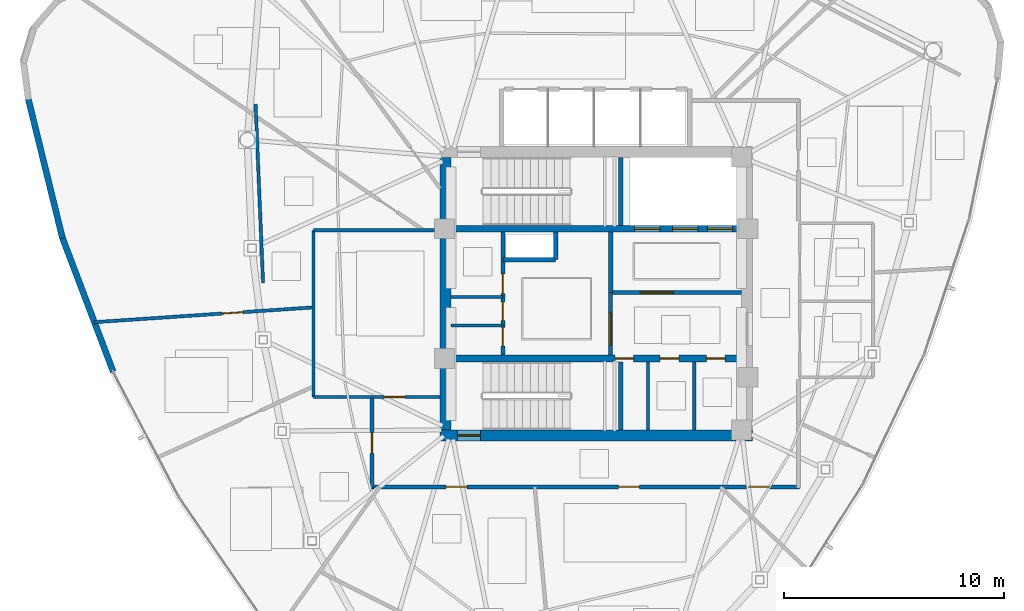
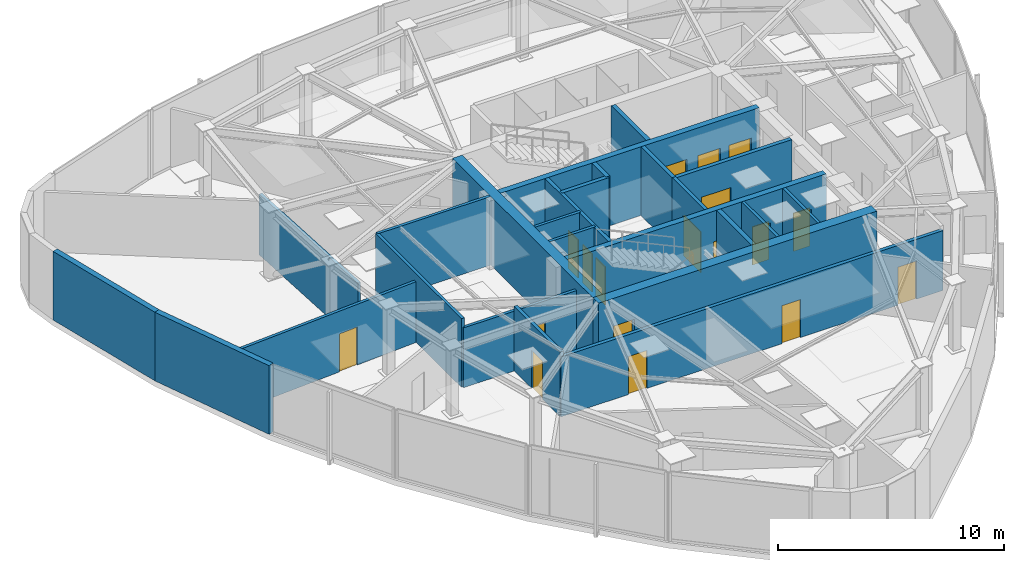
# One storey, part 8 of 13: 25 walls, 18 doors, 18 openings.
"""IFC4 building model written with IfcOpenShell, lengths in metres."""

from ifc_helpers import new_model, si_unit, direction, frame, frame_2d, origin, place, context, subcontext, project, spatial, rectangle, extrude, material, layer, layer_set, type_object, element, fill, save


model = new_model("IFC4")

# Units and contexts
model_context = context("Model", 3, precision=1e-05, world=origin(), true_north=direction((0.0, 1.0)))
body_context = subcontext(model_context, "Body", "Model", "MODEL_VIEW")
ifc_project = project(units=[si_unit("LENGTHUNIT", "METRE"), si_unit("AREAUNIT", "SQUARE_METRE"), si_unit("VOLUMEUNIT", "CUBIC_METRE"), si_unit("PLANEANGLEUNIT", "RADIAN"), si_unit("MASSUNIT", "GRAM", prefix="KILO")], contexts=[model_context])

# Site, building, storey
site_placement = place(None, origin())
site = spatial("IfcSite", under=ifc_project, at=site_placement, CompositionType="ELEMENT")
building_placement = place(site_placement, origin())
building = spatial("IfcBuilding", under=site, at=building_placement, Name="Tavelor Broadcast Tower", CompositionType="ELEMENT")
storey_placement = place(building_placement, frame((0.0, 0.0, 301.5)))
storey = spatial("IfcBuildingStorey", under=building, at=storey_placement, Name="L72", CompositionType="ELEMENT", Elevation=301.5)

# Wall, opening, door
ifc_material_1 = material(Name="Concrete C50/60", Category="concrete")
ifc_layer_1 = layer(ifc_material_1, 0.5)
ifc_layer_set_1 = layer_set([ifc_layer_1], Name="Concrete C50/60")
wall_type_1 = type_object("IfcWallType", Name="Core Shear Wall 500 mm", PredefinedType="SHEAR", material=ifc_layer_set_1)
wall_1_placement = place(storey_placement, frame((42.89990234375, 38.550048828125, 0.0), z_axis=(0.0, 0.0, 1.0), x_axis=(1.0, 0.0, 0.0)))
wall_1 = element("IfcWall", 1, at=wall_1_placement, inside=storey, type_object=wall_type_1, Name="L72 Central Core Shear Wall S", PredefinedType="SHEAR", context=body_context, shape_type="SweptSolid", body=[
    extrude(rectangle(XDim=14.2001953125, YDim=0.5, at=frame_2d((7.10009765625, 0.0))), origin(), (0.0, 0.0, 1.0), 3.699951171875),
])
opening_1_placement = place(wall_1_placement, frame((0.780029296875, 0.0, 0.0)))
opening_1 = element("IfcOpeningElement", 2, at=opening_1_placement, cuts=wall_1, Name="Opening DR11", PredefinedType="OPENING", context=body_context, shape_type="SweptSolid", body=[
    extrude(rectangle(XDim=1.050048828125, YDim=2.199951171875, at=frame_2d((0.52490234375, 1.10009765625))), frame((0.0, 0.260009765625, 0.0), z_axis=(0.0, -1.0, 0.0), x_axis=(1.0, 0.0, 0.0)), (0.0, 0.0, 1.0), 0.52001953125),
])
ifc_material_2 = material(Name="Steel S355", Category="steel")
door_type_1 = type_object("IfcDoorType", Name="Stair Core Fire Escape Door 1050x2200", OperationType="NOTDEFINED", PredefinedType="DOOR", material=ifc_material_2)
door_1_placement = place(opening_1_placement, origin())
door_1 = element("IfcDoor", 3, at=door_1_placement, inside=storey, type_object=door_type_1, Name="L72 Stair ST2 Protected Exit Door", OperationType="SINGLE_SWING_RIGHT", OverallHeight=2.199951171875, OverallWidth=1.050048828125, PredefinedType="DOOR", context=body_context, shape_type="SweptSolid", body=[
    extrude(rectangle(XDim=1.050048828125, YDim=2.199951171875, at=frame_2d((0.52490234375, 1.10009765625))), frame((0.0, 0.02490234375, 0.0), z_axis=(0.0, -1.0, 0.0), x_axis=(1.0, 0.0, 0.0)), (0.0, 0.0, 1.0), 0.050048828125),
])
fill(opening_1, door_1)

# Wall
wall_2_placement = place(storey_placement, frame((43.14990234375, 38.800048828125, 0.0), z_axis=(0.0, 0.0, 1.0), x_axis=(0.0, 1.0, 0.0)))
element("IfcWall", 4, at=wall_2_placement, inside=storey, type_object=wall_type_1, Name="L72 Central Core Shear Wall W", PredefinedType="SHEAR", context=body_context, shape_type="SweptSolid", body=[
    extrude(rectangle(XDim=12.39990234375, YDim=0.5, at=frame_2d((6.199951171875, 0.0))), origin(), (0.0, 0.0, 1.0), 3.699951171875),
])

# Wall, openings, doors
ifc_layer_2 = layer(ifc_material_1, 0.300048828125)
ifc_layer_set_2 = layer_set([ifc_layer_2], Name="Concrete C50/60")
wall_type_2 = type_object("IfcWallType", Name="Core Spine Shear Wall 300 mm C50", PredefinedType="SHEAR", material=ifc_layer_set_2)
wall_3_placement = place(storey_placement, frame((43.39990234375, 47.949951171875, 0.0), z_axis=(0.0, 0.0, 1.0), x_axis=(1.0, 0.0, 0.0)))
wall_3 = element("IfcWall", 5, at=wall_3_placement, inside=storey, type_object=wall_type_2, Name="L72 Central Core Shear Wall SP1", PredefinedType="SHEAR", context=body_context, shape_type="SweptSolid", body=[
    extrude(rectangle(XDim=13.2001953125, YDim=0.300048828125, at=frame_2d((6.60009765625, 0.0))), origin(), (0.0, 0.0, 1.0), 3.699951171875),
])
opening_2_placement = place(wall_3_placement, frame((8.344970703125, 0.0, 0.0)))
opening_2 = element("IfcOpeningElement", 6, at=opening_2_placement, cuts=wall_3, Name="Opening LD02", PredefinedType="OPENING", context=body_context, shape_type="SweptSolid", body=[
    extrude(rectangle(XDim=1.14990234375, YDim=2.199951171875, at=frame_2d((0.574951171875, 1.10009765625))), frame((0.0, 0.16015625, 0.0), z_axis=(0.0, -1.0, 0.0), x_axis=(1.0, 0.0, 0.0)), (0.0, 0.0, 1.0), 0.320068359375),
])
opening_3_placement = place(wall_3_placement, frame((10.06494140625, 0.0, 0.0)))
opening_3 = element("IfcOpeningElement", 7, at=opening_3_placement, cuts=wall_3, Name="Opening LD02", PredefinedType="OPENING", context=body_context, shape_type="SweptSolid", body=[
    extrude(rectangle(XDim=1.14990234375, YDim=2.199951171875, at=frame_2d((0.574951171875, 1.10009765625))), frame((0.0, 0.16015625, 0.0), z_axis=(0.0, -1.0, 0.0), x_axis=(1.0, 0.0, 0.0)), (0.0, 0.0, 1.0), 0.320068359375),
])
opening_4_placement = place(wall_3_placement, frame((11.64501953125, 0.0, 0.0)))
opening_4 = element("IfcOpeningElement", 8, at=opening_4_placement, cuts=wall_3, Name="Opening LD03", PredefinedType="OPENING", context=body_context, shape_type="SweptSolid", body=[
    extrude(rectangle(XDim=1.14990234375, YDim=2.199951171875, at=frame_2d((0.574951171875, 1.10009765625))), frame((0.0, 0.16015625, 0.0), z_axis=(0.0, -1.0, 0.0), x_axis=(1.0, 0.0, 0.0)), (0.0, 0.0, 1.0), 0.320068359375),
])
ifc_material_3 = material(Name="Reinforced Brushed Stainless Steel", Category="concrete")
door_type_2 = type_object("IfcDoorType", Name="Broadcast Goods Lift Sliding Landing Door 1250x2200", OperationType="NOTDEFINED", PredefinedType="DOOR", material=ifc_material_3)
door_2_placement = place(opening_4_placement, origin())
door_2 = element("IfcDoor", 9, at=door_2_placement, inside=storey, type_object=door_type_2, Name="L72 Lift SVL1 Sliding Landing Door", OperationType="SLIDING_TO_LEFT", OverallHeight=2.199951171875, OverallWidth=1.14990234375, PredefinedType="DOOR", context=body_context, shape_type="SweptSolid", body=[
    extrude(rectangle(XDim=1.14990234375, YDim=2.199951171875, at=frame_2d((0.574951171875, 1.10009765625))), frame((0.0, 0.02490234375, 0.0), z_axis=(0.0, -1.0, 0.0), x_axis=(1.0, 0.0, 0.0)), (0.0, 0.0, 1.0), 0.050048828125),
])
fill(opening_4, door_2)
ifc_material_4 = material(Name="Fire-Rated Stainless Steel", Category="steel")
door_type_3 = type_object("IfcDoorType", Name="Firefighting Lift Sliding Landing Door 1200x2200", OperationType="NOTDEFINED", PredefinedType="DOOR", material=ifc_material_4)
door_3_placement = place(opening_2_placement, origin())
door_3 = element("IfcDoor", 10, at=door_3_placement, inside=storey, type_object=door_type_3, Name="L72 Lift FFL1 Sliding Landing Door", OperationType="SLIDING_TO_LEFT", OverallHeight=2.199951171875, OverallWidth=1.14990234375, PredefinedType="DOOR", context=body_context, shape_type="SweptSolid", body=[
    extrude(rectangle(XDim=1.14990234375, YDim=2.199951171875, at=frame_2d((0.574951171875, 1.10009765625))), frame((0.0, 0.02490234375, 0.0), z_axis=(0.0, -1.0, 0.0), x_axis=(1.0, 0.0, 0.0)), (0.0, 0.0, 1.0), 0.050048828125),
])
fill(opening_2, door_3)
door_4_placement = place(opening_3_placement, origin())
door_4 = element("IfcDoor", 11, at=door_4_placement, inside=storey, type_object=door_type_3, Name="L72 Lift FFL2 Sliding Landing Door", OperationType="SLIDING_TO_LEFT", OverallHeight=2.199951171875, OverallWidth=1.14990234375, PredefinedType="DOOR", context=body_context, shape_type="SweptSolid", body=[
    extrude(rectangle(XDim=1.14990234375, YDim=2.199951171875, at=frame_2d((0.574951171875, 1.10009765625))), frame((0.0, 0.02490234375, 0.0), z_axis=(0.0, -1.0, 0.0), x_axis=(1.0, 0.0, 0.0)), (0.0, 0.0, 1.0), 0.050048828125),
])
fill(opening_3, door_4)

wall_4_placement = place(storey_placement, frame((43.39990234375, 42.050048828125, 0.0), z_axis=(0.0, 0.0, 1.0), x_axis=(1.0, 0.0, 0.0)))
wall_4 = element("IfcWall", 12, at=wall_4_placement, inside=storey, type_object=wall_type_2, Name="L72 Central Core Shear Wall SP2", PredefinedType="SHEAR", context=body_context, shape_type="SweptSolid", body=[
    extrude(rectangle(XDim=13.2001953125, YDim=0.300048828125, at=frame_2d((6.60009765625, 0.0))), origin(), (0.0, 0.0, 1.0), 3.699951171875),
])
opening_5_placement = place(wall_4_placement, frame((7.449951171875, 0.0, 0.0)))
opening_5 = element("IfcOpeningElement", 13, at=opening_5_placement, cuts=wall_4, Name="Opening DR36", PredefinedType="OPENING", context=body_context, shape_type="SweptSolid", body=[
    extrude(rectangle(XDim=0.85009765625, YDim=2.050048828125, at=frame_2d((0.425048828125, 1.02490234375))), frame((0.0, 0.16015625, 0.0), z_axis=(0.0, -1.0, 0.0), x_axis=(1.0, 0.0, 0.0)), (0.0, 0.0, 1.0), 0.320068359375),
])
opening_6_placement = place(wall_4_placement, frame((9.5, 0.0, 0.0)))
opening_6 = element("IfcOpeningElement", 14, at=opening_6_placement, cuts=wall_4, Name="Opening DR36", PredefinedType="OPENING", context=body_context, shape_type="SweptSolid", body=[
    extrude(rectangle(XDim=0.85009765625, YDim=2.050048828125, at=frame_2d((0.425048828125, 1.02490234375))), frame((0.0, 0.16015625, 0.0), z_axis=(0.0, -1.0, 0.0), x_axis=(1.0, 0.0, 0.0)), (0.0, 0.0, 1.0), 0.320068359375),
])
opening_7_placement = place(wall_4_placement, frame((11.60009765625, 0.0, 0.0)))
opening_7 = element("IfcOpeningElement", 15, at=opening_7_placement, cuts=wall_4, Name="Opening DR36", PredefinedType="OPENING", context=body_context, shape_type="SweptSolid", body=[
    extrude(rectangle(XDim=0.85009765625, YDim=2.050048828125, at=frame_2d((0.425048828125, 1.02490234375))), frame((0.0, 0.16015625, 0.0), z_axis=(0.0, -1.0, 0.0), x_axis=(1.0, 0.0, 0.0)), (0.0, 0.0, 1.0), 0.320068359375),
])
door_type_4 = type_object("IfcDoorType", Name="Service Room Fire Door 850x2050", OperationType="NOTDEFINED", PredefinedType="DOOR", material=ifc_material_2)
door_5_placement = place(opening_5_placement, origin())
door_5 = element("IfcDoor", 16, at=door_5_placement, inside=storey, type_object=door_type_4, Name="L72 Reclaimed South Core Pod 1 Door", OperationType="SINGLE_SWING_LEFT", OverallHeight=2.050048828125, OverallWidth=0.85009765625, PredefinedType="DOOR", context=body_context, shape_type="SweptSolid", body=[
    extrude(rectangle(XDim=0.85009765625, YDim=2.050048828125, at=frame_2d((0.425048828125, 1.02490234375))), frame((0.0, 0.02490234375, 0.0), z_axis=(0.0, -1.0, 0.0), x_axis=(1.0, 0.0, 0.0)), (0.0, 0.0, 1.0), 0.050048828125),
])
fill(opening_5, door_5)
door_6_placement = place(opening_6_placement, origin())
door_6 = element("IfcDoor", 17, at=door_6_placement, inside=storey, type_object=door_type_4, Name="L72 Reclaimed South Core Pod 2 Door", OperationType="SINGLE_SWING_RIGHT", OverallHeight=2.050048828125, OverallWidth=0.85009765625, PredefinedType="DOOR", context=body_context, shape_type="SweptSolid", body=[
    extrude(rectangle(XDim=0.85009765625, YDim=2.050048828125, at=frame_2d((0.425048828125, 1.02490234375))), frame((0.0, 0.02490234375, 0.0), z_axis=(0.0, -1.0, 0.0), x_axis=(1.0, 0.0, 0.0)), (0.0, 0.0, 1.0), 0.050048828125),
])
fill(opening_6, door_6)
door_7_placement = place(opening_7_placement, origin())
door_7 = element("IfcDoor", 18, at=door_7_placement, inside=storey, type_object=door_type_4, Name="L72 Reclaimed South Core Pod 3 Door", OperationType="SINGLE_SWING_LEFT", OverallHeight=2.050048828125, OverallWidth=0.85009765625, PredefinedType="DOOR", context=body_context, shape_type="SweptSolid", body=[
    extrude(rectangle(XDim=0.85009765625, YDim=2.050048828125, at=frame_2d((0.425048828125, 1.02490234375))), frame((0.0, 0.02490234375, 0.0), z_axis=(0.0, -1.0, 0.0), x_axis=(1.0, 0.0, 0.0)), (0.0, 0.0, 1.0), 0.050048828125),
])
fill(opening_7, door_7)

# Wall, opening, door
ifc_material_5 = material(Name="Calcium Silicate Fire Board 180 mm", Category="gypsum")
ifc_layer_3 = layer(ifc_material_5, 0.179931640625)
ifc_layer_set_3 = layer_set([ifc_layer_3], Name="Calcium Silicate Fire Board 180 mm")
wall_type_3 = type_object("IfcWallType", Name="Fire-Rated Corridor Partition Wall 180 mm", PredefinedType="PARTITIONING", material=ifc_layer_set_3)
wall_5_placement = place(storey_placement, frame((50.64990234375, 42.199951171875, 0.0), z_axis=(0.0, 0.0, 1.0), x_axis=(0.0, 1.0, 0.0)))
wall_5 = element("IfcWall", 19, at=wall_5_placement, inside=storey, type_object=wall_type_3, Name="L72 Core Lobby Zoning Wall", PredefinedType="PARTITIONING", context=body_context, shape_type="SweptSolid", body=[
    extrude(rectangle(XDim=2.85009765625, YDim=0.179931640625, at=frame_2d((1.425048828125, 0.0))), origin(), (0.0, 0.0, 1.0), 3.699951171875),
])
opening_8_placement = place(wall_5_placement, frame((0.449951171875, 0.0, 0.0)))
opening_8 = element("IfcOpeningElement", 20, at=opening_8_placement, cuts=wall_5, Name="Opening DR14", PredefinedType="OPENING", context=body_context, shape_type="SweptSolid", body=[
    extrude(rectangle(XDim=1.5, YDim=2.199951171875, at=frame_2d((0.75, 1.10009765625))), frame((0.0, 0.10009765625, 0.0), z_axis=(0.0, -1.0, 0.0), x_axis=(1.0, 0.0, 0.0)), (0.0, 0.0, 1.0), 0.199951171875),
])
door_type_5 = type_object("IfcDoorType", Name="Firefighting Lobby Double Fire Door 1500x2200", OperationType="NOTDEFINED", PredefinedType="DOOR", material=ifc_material_2)
door_8_placement = place(opening_8_placement, origin())
door_8 = element("IfcDoor", 21, at=door_8_placement, inside=storey, type_object=door_type_5, Name="L72 Core West Lobby Double Fire Door", OperationType="SINGLE_SWING_RIGHT", OverallHeight=2.199951171875, OverallWidth=1.5, PredefinedType="DOOR", context=body_context, shape_type="SweptSolid", body=[
    extrude(rectangle(XDim=1.5, YDim=2.199951171875, at=frame_2d((0.75, 1.10009765625))), frame((0.0, 0.02490234375, 0.0), z_axis=(0.0, -1.0, 0.0), x_axis=(1.0, 0.0, 0.0)), (0.0, 0.0, 1.0), 0.050048828125),
])
fill(opening_8, door_8)

# Wall, openings, doors
wall_6_placement = place(storey_placement, frame((45.75, 42.199951171875, 0.0), z_axis=(0.0, 0.0, 1.0), x_axis=(0.0, 1.0, 0.0)))
wall_6 = element("IfcWall", 22, at=wall_6_placement, inside=storey, type_object=wall_type_3, Name="L72 Core West Service East Wall", PredefinedType="PARTITIONING", context=body_context, shape_type="SweptSolid", body=[
    extrude(rectangle(XDim=5.60009765625, YDim=0.179931640625, at=frame_2d((2.800048828125, 0.0))), origin(), (0.0, 0.0, 1.0), 3.699951171875),
])
opening_9_placement = place(wall_6_placement, frame((0.419921875, 0.0, 0.0)))
opening_9 = element("IfcOpeningElement", 23, at=opening_9_placement, cuts=wall_6, Name="Opening DR36", PredefinedType="OPENING", context=body_context, shape_type="SweptSolid", body=[
    extrude(rectangle(XDim=0.85009765625, YDim=2.050048828125, at=frame_2d((0.425048828125, 1.02490234375))), frame((0.0, 0.10009765625, 0.0), z_axis=(0.0, -1.0, 0.0), x_axis=(1.0, 0.0, 0.0)), (0.0, 0.0, 1.0), 0.199951171875),
])
opening_10_placement = place(wall_6_placement, frame((1.570068359375, 0.0, 0.0)))
opening_10 = element("IfcOpeningElement", 24, at=opening_10_placement, cuts=wall_6, Name="Opening DR36", PredefinedType="OPENING", context=body_context, shape_type="SweptSolid", body=[
    extrude(rectangle(XDim=0.85009765625, YDim=2.050048828125, at=frame_2d((0.425048828125, 1.02490234375))), frame((0.0, 0.10009765625, 0.0), z_axis=(0.0, -1.0, 0.0), x_axis=(1.0, 0.0, 0.0)), (0.0, 0.0, 1.0), 0.199951171875),
])
opening_11_placement = place(wall_6_placement, frame((2.800048828125, 0.0, 0.0)))
opening_11 = element("IfcOpeningElement", 25, at=opening_11_placement, cuts=wall_6, Name="Opening DR32", PredefinedType="OPENING", context=body_context, shape_type="SweptSolid", body=[
    extrude(rectangle(XDim=0.89990234375, YDim=2.050048828125, at=frame_2d((0.449951171875, 1.02490234375))), frame((0.0, 0.10009765625, 0.0), z_axis=(0.0, -1.0, 0.0), x_axis=(1.0, 0.0, 0.0)), (0.0, 0.0, 1.0), 0.199951171875),
])
ifc_material_6 = material(Name="Timber Solid Core Hardwood", Category="wood")
door_type_6 = type_object("IfcDoorType", Name="Accessible Washroom Door 900x2050", OperationType="NOTDEFINED", PredefinedType="DOOR", material=ifc_material_6)
door_9_placement = place(opening_11_placement, origin())
door_9 = element("IfcDoor", 26, at=door_9_placement, inside=storey, type_object=door_type_6, Name="L72 Core Accessible WC Door", OperationType="SINGLE_SWING_LEFT", OverallHeight=2.050048828125, OverallWidth=0.89990234375, PredefinedType="DOOR", context=body_context, shape_type="SweptSolid", body=[
    extrude(rectangle(XDim=0.89990234375, YDim=2.050048828125, at=frame_2d((0.449951171875, 1.02490234375))), frame((0.0, 0.02490234375, 0.0), z_axis=(0.0, -1.0, 0.0), x_axis=(1.0, 0.0, 0.0)), (0.0, 0.0, 1.0), 0.050048828125),
])
fill(opening_11, door_9)
door_10_placement = place(opening_9_placement, origin())
door_10 = element("IfcDoor", 27, at=door_10_placement, inside=storey, type_object=door_type_4, Name="L72 Core Medical Room Door", OperationType="SINGLE_SWING_LEFT", OverallHeight=2.050048828125, OverallWidth=0.85009765625, PredefinedType="DOOR", context=body_context, shape_type="SweptSolid", body=[
    extrude(rectangle(XDim=0.85009765625, YDim=2.050048828125, at=frame_2d((0.425048828125, 1.02490234375))), frame((0.0, 0.02490234375, 0.0), z_axis=(0.0, -1.0, 0.0), x_axis=(1.0, 0.0, 0.0)), (0.0, 0.0, 1.0), 0.050048828125),
])
fill(opening_9, door_10)
door_11_placement = place(opening_10_placement, origin())
door_11 = element("IfcDoor", 28, at=door_11_placement, inside=storey, type_object=door_type_4, Name="L72 Core Copy Room Door", OperationType="SINGLE_SWING_RIGHT", OverallHeight=2.050048828125, OverallWidth=0.85009765625, PredefinedType="DOOR", context=body_context, shape_type="SweptSolid", body=[
    extrude(rectangle(XDim=0.85009765625, YDim=2.050048828125, at=frame_2d((0.425048828125, 1.02490234375))), frame((0.0, 0.02490234375, 0.0), z_axis=(0.0, -1.0, 0.0), x_axis=(1.0, 0.0, 0.0)), (0.0, 0.0, 1.0), 0.050048828125),
])
fill(opening_10, door_11)

wall_7_placement = place(storey_placement, frame((59.22998046875, 36.219970703125, 0.0), z_axis=(0.0, 0.0, 1.0), x_axis=(-1.0, 0.0, 0.0)))
wall_7 = element("IfcWall", 29, at=wall_7_placement, inside=storey, type_object=wall_type_3, Name="L72 Corridor Compartment Wall 04", PredefinedType="PARTITIONING", context=body_context, shape_type="SweptSolid", body=[
    extrude(rectangle(XDim=19.47998046875, YDim=0.179931640625, at=frame_2d((9.739990234375, 0.0))), origin(), (0.0, 0.0, 1.0), 3.22509765625),
])
opening_12_placement = place(wall_7_placement, frame((1.3623046875, 0.0, 0.0)))
opening_12 = element("IfcOpeningElement", 30, at=opening_12_placement, cuts=wall_7, Name="Opening DR18", PredefinedType="OPENING", context=body_context, shape_type="SweptSolid", body=[
    extrude(rectangle(XDim=0.949951171875, YDim=2.050048828125, at=frame_2d((0.47509765625, 1.02490234375))), frame((0.0, 0.10009765625, 0.0), z_axis=(0.0, -1.0, 0.0), x_axis=(1.0, 0.0, 0.0)), (0.0, 0.0, 1.0), 0.199951171875),
])
opening_13_placement = place(wall_7_placement, frame((7.275634765625, 0.0, 0.0)))
opening_13 = element("IfcOpeningElement", 31, at=opening_13_placement, cuts=wall_7, Name="Opening DR18", PredefinedType="OPENING", context=body_context, shape_type="SweptSolid", body=[
    extrude(rectangle(XDim=0.949951171875, YDim=2.050048828125, at=frame_2d((0.47509765625, 1.02490234375))), frame((0.0, 0.10009765625, 0.0), z_axis=(0.0, -1.0, 0.0), x_axis=(1.0, 0.0, 0.0)), (0.0, 0.0, 1.0), 0.199951171875),
])
opening_14_placement = place(wall_7_placement, frame((15.106689453125, 0.0, 0.0)))
opening_14 = element("IfcOpeningElement", 32, at=opening_14_placement, cuts=wall_7, Name="Opening DR18", PredefinedType="OPENING", context=body_context, shape_type="SweptSolid", body=[
    extrude(rectangle(XDim=0.949951171875, YDim=2.050048828125, at=frame_2d((0.47509765625, 1.02490234375))), frame((0.0, 0.10009765625, 0.0), z_axis=(0.0, -1.0, 0.0), x_axis=(1.0, 0.0, 0.0)), (0.0, 0.0, 1.0), 0.199951171875),
])
door_type_7 = type_object("IfcDoorType", Name="Corridor Rated Compartment Door 950x2050", OperationType="NOTDEFINED", PredefinedType="DOOR", material=ifc_material_6)
door_12_placement = place(opening_12_placement, origin())
door_12 = element("IfcDoor", 33, at=door_12_placement, inside=storey, type_object=door_type_7, Name="L72 Audio Dubbing Studio Door R0", OperationType="SINGLE_SWING_LEFT", OverallHeight=2.050048828125, OverallWidth=0.949951171875, PredefinedType="DOOR", context=body_context, shape_type="SweptSolid", body=[
    extrude(rectangle(XDim=0.949951171875, YDim=2.050048828125, at=frame_2d((0.47509765625, 1.02490234375))), frame((0.0, 0.02490234375, 0.0), z_axis=(0.0, -1.0, 0.0), x_axis=(1.0, 0.0, 0.0)), (0.0, 0.0, 1.0), 0.050048828125),
])
fill(opening_12, door_12)
door_13_placement = place(opening_13_placement, origin())
door_13 = element("IfcDoor", 34, at=door_13_placement, inside=storey, type_object=door_type_7, Name="L72 Podcast Recording Studio Door R1", OperationType="SINGLE_SWING_RIGHT", OverallHeight=2.050048828125, OverallWidth=0.949951171875, PredefinedType="DOOR", context=body_context, shape_type="SweptSolid", body=[
    extrude(rectangle(XDim=0.949951171875, YDim=2.050048828125, at=frame_2d((0.47509765625, 1.02490234375))), frame((0.0, 0.02490234375, 0.0), z_axis=(0.0, -1.0, 0.0), x_axis=(1.0, 0.0, 0.0)), (0.0, 0.0, 1.0), 0.050048828125),
])
fill(opening_13, door_13)
door_14_placement = place(opening_14_placement, origin())
door_14 = element("IfcDoor", 35, at=door_14_placement, inside=storey, type_object=door_type_7, Name="L72 Talent Script Den Door R11", OperationType="SINGLE_SWING_LEFT", OverallHeight=2.050048828125, OverallWidth=0.949951171875, PredefinedType="DOOR", context=body_context, shape_type="SweptSolid", body=[
    extrude(rectangle(XDim=0.949951171875, YDim=2.050048828125, at=frame_2d((0.47509765625, 1.02490234375))), frame((0.0, 0.02490234375, 0.0), z_axis=(0.0, -1.0, 0.0), x_axis=(1.0, 0.0, 0.0)), (0.0, 0.0, 1.0), 0.050048828125),
])
fill(opening_14, door_14)

# Wall, opening, door
wall_8_placement = place(storey_placement, frame((39.800048828125, 36.169921875, 0.0), z_axis=(0.0, 0.0, 1.0), x_axis=(0.0, 1.0, 0.0)))
wall_8 = element("IfcWall", 36, at=wall_8_placement, inside=storey, type_object=wall_type_3, Name="L72 Corridor Compartment Wall 05", PredefinedType="PARTITIONING", context=body_context, shape_type="SweptSolid", body=[
    extrude(rectangle(XDim=4.080078125, YDim=0.179931640625, at=frame_2d((2.0400390625, 0.0))), origin(), (0.0, 0.0, 1.0), 3.47509765625),
])
opening_15_placement = place(wall_8_placement, frame((1.56494140625, 0.0, 0.0)))
opening_15 = element("IfcOpeningElement", 37, at=opening_15_placement, cuts=wall_8, Name="Opening DR18", PredefinedType="OPENING", context=body_context, shape_type="SweptSolid", body=[
    extrude(rectangle(XDim=0.949951171875, YDim=2.050048828125, at=frame_2d((0.47509765625, 1.02490234375))), frame((0.0, 0.10009765625, 0.0), z_axis=(0.0, -1.0, 0.0), x_axis=(1.0, 0.0, 0.0)), (0.0, 0.0, 1.0), 0.199951171875),
])
door_15_placement = place(opening_15_placement, origin())
door_15 = element("IfcDoor", 38, at=door_15_placement, inside=storey, type_object=door_type_7, Name="L72 Sound Foley Studio Door R3", OperationType="SINGLE_SWING_RIGHT", OverallHeight=2.050048828125, OverallWidth=0.949951171875, PredefinedType="DOOR", context=body_context, shape_type="SweptSolid", body=[
    extrude(rectangle(XDim=0.949951171875, YDim=2.050048828125, at=frame_2d((0.47509765625, 1.02490234375))), frame((0.0, 0.02490234375, 0.0), z_axis=(0.0, -1.0, 0.0), x_axis=(1.0, 0.0, 0.0)), (0.0, 0.0, 1.0), 0.050048828125),
])
fill(opening_15, door_15)

# Walls
ifc_material_7 = material(Name="Precast Concrete C40/50", Category="concrete")
ifc_layer_4 = layer(ifc_material_7, 0.280029296875)
ifc_layer_set_4 = layer_set([ifc_layer_4], Name="Precast Concrete C40/50")
wall_type_4 = type_object("IfcWallType", Name="Insulated Precast Terracotta Facade Wall 280 mm", PredefinedType="STANDARD", material=ifc_layer_set_4)
wall_9_placement = place(storey_placement, frame((24.169189453125, 53.855712890625, 0.0), z_axis=(0.0, 0.0, 1.0), x_axis=(0.238934961537, -0.971035573064, 0.0)))
element("IfcWall", 39, at=wall_9_placement, inside=storey, type_object=wall_type_4, Name="L72 Rounded Corner Structural Cladding Pier 05", PredefinedType="STANDARD", context=body_context, shape_type="SweptSolid", body=[
    extrude(rectangle(XDim=6.528076171875, YDim=0.280029296875, at=frame_2d((3.26416015625, 0.0))), origin(), (0.0, 0.0, 1.0), 3.699951171875),
])
wall_10_placement = place(storey_placement, frame((25.719970703125, 47.54541015625, 0.0), z_axis=(0.0, 0.0, 1.0), x_axis=(0.35469715297, -0.934981245628, 0.0)))
element("IfcWall", 40, at=wall_10_placement, inside=storey, type_object=wall_type_4, Name="L72 Rounded Corner Structural Cladding Pier 06", PredefinedType="STANDARD", context=body_context, shape_type="SweptSolid", body=[
    extrude(rectangle(XDim=6.51611328125, YDim=0.280029296875, at=frame_2d((3.258056640625, 0.0))), origin(), (0.0, 0.0, 1.0), 3.699951171875),
])
ifc_material_8 = material(Name="Gypsum Acoustic Plasterboard 150 mm", Category="gypsum")
ifc_layer_5 = layer(ifc_material_8, 0.14990234375)
ifc_layer_set_5 = layer_set([ifc_layer_5], Name="Gypsum Acoustic Plasterboard 150 mm")
wall_type_5 = type_object("IfcWallType", Name="Interior Acoustic Partition Wall 150 mm", PredefinedType="PARTITIONING", material=ifc_layer_set_5)
for number, where, z_axis, x_axis, name in (
    (41, (52.35009765625, 38.800048828125, 0.0), (0.0, 0.0, 1.0), (0.0, 1.0, 0.0), "L72 Reclaimed South Core Divider 1"),
    (42, (54.449951171875, 38.800048828125, 0.0), (0.0, 0.0, 1.0), (0.0, 1.0, 0.0), "L72 Reclaimed South Core Divider 2"),
):
    element("IfcWall", number, at=place(storey_placement, frame(where, z_axis=z_axis, x_axis=x_axis)), inside=storey, type_object=wall_type_5, Name=name, PredefinedType="PARTITIONING", context=body_context, shape_type="SweptSolid", body=[
        extrude(rectangle(XDim=3.099853515625, YDim=0.14990234375, at=frame_2d((1.5498046875, 0.0))), origin(), (0.0, 0.0, 1.0), 3.699951171875),
    ])
for number, where, z_axis, x_axis, name in (
    (43, (43.39990234375, 43.550048828125, 0.0), (0.0, 0.0, 1.0), (1.0, 0.0, 0.0), "L72 Core Split Wall B1"),
    (44, (43.39990234375, 44.85009765625, 0.0), (0.0, 0.0, 1.0), (1.0, 0.0, 0.0), "L72 Core Split Wall B2"),
):
    element("IfcWall", number, at=place(storey_placement, frame(where, z_axis=z_axis, x_axis=x_axis)), inside=storey, type_object=wall_type_5, Name=name, PredefinedType="PARTITIONING", context=body_context, shape_type="SweptSolid", body=[
        extrude(rectangle(XDim=2.35009765625, YDim=0.14990234375, at=frame_2d((1.175048828125, 0.0))), origin(), (0.0, 0.0, 1.0), 3.699951171875),
    ])
wall_11_placement = place(storey_placement, frame((34.50732421875, 53.61279296875, 0.0), z_axis=(0.0, 0.0, 1.0), x_axis=(0.041875090182, -0.999122853718, 0.0)))
element("IfcWall", 45, at=wall_11_placement, inside=storey, type_object=wall_type_5, Name="L72 Corner Tube Brace Furring Wall 1", PredefinedType="PARTITIONING", context=body_context, shape_type="SweptSolid", body=[
    extrude(rectangle(XDim=8.138916015625, YDim=0.14990234375, at=frame_2d((4.0693359375, 0.0))), origin(), (0.0, 0.0, 1.0), 3.27490234375),
])

# Wall, opening, door
wall_12_placement = place(storey_placement, frame((37.139892578125, 40.300048828125, 0.0), z_axis=(0.0, 0.0, 1.0), x_axis=(1.0, 0.0, 0.0)))
wall_12 = element("IfcWall", 46, at=wall_12_placement, inside=storey, type_object=wall_type_5, Name="L72 Reclaimed Shaft Pantry South Wall", PredefinedType="PARTITIONING", context=body_context, shape_type="SweptSolid", body=[
    extrude(rectangle(XDim=5.760009765625, YDim=0.14990234375, at=frame_2d((2.8798828125, 0.0))), origin(), (0.0, 0.0, 1.0), 3.22509765625),
])
opening_16_placement = place(wall_12_placement, frame((3.2099609375, 0.0, 0.0)))
opening_16 = element("IfcOpeningElement", 47, at=opening_16_placement, cuts=wall_12, Name="Opening DR18", PredefinedType="OPENING", context=body_context, shape_type="SweptSolid", body=[
    extrude(rectangle(XDim=0.949951171875, YDim=2.050048828125, at=frame_2d((0.47509765625, 1.02490234375))), frame((0.0, 0.0849609375, 0.0), z_axis=(0.0, -1.0, 0.0), x_axis=(1.0, 0.0, 0.0)), (0.0, 0.0, 1.0), 0.169921875),
])
door_16_placement = place(opening_16_placement, origin())
door_16 = element("IfcDoor", 48, at=door_16_placement, inside=storey, type_object=door_type_7, Name="L72 Broadcast IT Patch and Pantry Door", OperationType="SINGLE_SWING_LEFT", OverallHeight=2.050048828125, OverallWidth=0.949951171875, PredefinedType="DOOR", context=body_context, shape_type="SweptSolid", body=[
    extrude(rectangle(XDim=0.949951171875, YDim=2.050048828125, at=frame_2d((0.47509765625, 1.02490234375))), frame((0.0, 0.02490234375, 0.0), z_axis=(0.0, -1.0, 0.0), x_axis=(1.0, 0.0, 0.0)), (0.0, 0.0, 1.0), 0.050048828125),
])
fill(opening_16, door_16)

# Walls
wall_13_placement = place(storey_placement, frame((37.139892578125, 40.300048828125, 0.0), z_axis=(0.0, 0.0, 1.0), x_axis=(0.0, 1.0, 0.0)))
element("IfcWall", 49, at=wall_13_placement, inside=storey, type_object=wall_type_5, Name="L72 Reclaimed Shaft Pantry West Wall", PredefinedType="PARTITIONING", context=body_context, shape_type="SweptSolid", body=[
    extrude(rectangle(XDim=7.579833984375, YDim=0.14990234375, at=frame_2d((3.7900390625, 0.0))), origin(), (0.0, 0.0, 1.0), 3.699951171875),
])
wall_14_placement = place(storey_placement, frame((37.139892578125, 47.8798828125, 0.0), z_axis=(0.0, 0.0, 1.0), x_axis=(1.0, 0.0, 0.0)))
element("IfcWall", 50, at=wall_14_placement, inside=storey, type_object=wall_type_5, Name="L72 Reclaimed Shaft Pantry North Wall", PredefinedType="PARTITIONING", context=body_context, shape_type="SweptSolid", body=[
    extrude(rectangle(XDim=5.760009765625, YDim=0.14990234375, at=frame_2d((2.8798828125, 0.0))), origin(), (0.0, 0.0, 1.0), 3.699951171875),
])

# Wall, opening, door
wall_15_placement = place(storey_placement, frame((37.080078125, 44.370849609375, 0.0), z_axis=(0.0, 0.0, 1.0), x_axis=(-0.997729027619, -0.067355678654, 0.0)))
wall_15 = element("IfcWall", 51, at=wall_15_placement, inside=storey, type_object=wall_type_5, Name="L72 Radial Compartment Wall 11", PredefinedType="PARTITIONING", context=body_context, shape_type="SweptSolid", body=[
    extrude(rectangle(XDim=9.93505859375, YDim=0.14990234375, at=frame_2d((4.967529296875, 0.0))), origin(), (0.0, 0.0, 1.0), 3.27490234375),
])
opening_17_placement = place(wall_15_placement, frame((3.14990234375, 0.0, 0.0)))
opening_17 = element("IfcOpeningElement", 52, at=opening_17_placement, cuts=wall_15, Name="Opening DR18", PredefinedType="OPENING", context=body_context, shape_type="SweptSolid", body=[
    extrude(rectangle(XDim=0.949951171875, YDim=2.050048828125, at=frame_2d((0.47509765625, 1.02490234375))), frame((0.0, 0.0849609375, 0.0), z_axis=(0.0, -1.0, 0.0), x_axis=(1.0, 0.0, 0.0)), (0.0, 0.0, 1.0), 0.169921875),
])
door_17_placement = place(opening_17_placement, origin())
door_17 = element("IfcDoor", 53, at=door_17_placement, inside=storey, type_object=door_type_7, Name="L72 Suite Connecting Door 5", OperationType="SINGLE_SWING_RIGHT", OverallHeight=2.050048828125, OverallWidth=0.949951171875, PredefinedType="DOOR", context=body_context, shape_type="SweptSolid", body=[
    extrude(rectangle(XDim=0.949951171875, YDim=2.050048828125, at=frame_2d((0.47509765625, 1.02490234375))), frame((0.0, 0.02490234375, 0.0), z_axis=(0.0, -1.0, 0.0), x_axis=(1.0, 0.0, 0.0)), (0.0, 0.0, 1.0), 0.050048828125),
])
fill(opening_17, door_17)

# Walls
ifc_material_9 = material(Name="Concrete Blockwork 200 mm", Category="masonry")
ifc_layer_6 = layer(ifc_material_9, 0.199951171875)
ifc_layer_set_6 = layer_set([ifc_layer_6], Name="Concrete Blockwork 200 mm")
wall_type_6 = type_object("IfcWallType", Name="Lift and Riser Shaft Enclosure Wall 200 mm", PredefinedType="PARTITIONING", material=ifc_layer_set_6)
wall_16_placement = place(storey_placement, frame((45.75, 46.550048828125, 0.0), z_axis=(0.0, 0.0, 1.0), x_axis=(1.0, 0.0, 0.0)))
element("IfcWall", 54, at=wall_16_placement, inside=storey, type_object=wall_type_6, Name="L72 Riser Shaft South Wall", PredefinedType="PARTITIONING", context=body_context, shape_type="SweptSolid", body=[
    extrude(rectangle(XDim=2.39990234375, YDim=0.199951171875, at=frame_2d((1.199951171875, 0.0))), origin(), (0.0, 0.0, 1.0), 3.699951171875),
])
wall_17_placement = place(storey_placement, frame((48.14990234375, 46.550048828125, 0.0), z_axis=(0.0, 0.0, 1.0), x_axis=(0.0, 1.0, 0.0)))
element("IfcWall", 55, at=wall_17_placement, inside=storey, type_object=wall_type_6, Name="L72 Riser Shaft East Wall", PredefinedType="PARTITIONING", context=body_context, shape_type="SweptSolid", body=[
    extrude(rectangle(XDim=1.25, YDim=0.199951171875, at=frame_2d((0.625, 0.0))), origin(), (0.0, 0.0, 1.0), 3.699951171875),
])

# Wall, opening, door
wall_18_placement = place(storey_placement, frame((50.64990234375, 45.050048828125, 0.0), z_axis=(0.0, 0.0, 1.0), x_axis=(1.0, 0.0, 0.0)))
wall_18 = element("IfcWall", 56, at=wall_18_placement, inside=storey, type_object=wall_type_6, Name="L72 Firefighting Lobby South Wall", PredefinedType="PARTITIONING", context=body_context, shape_type="SweptSolid", body=[
    extrude(rectangle(XDim=5.9501953125, YDim=0.199951171875, at=frame_2d((2.97509765625, 0.0))), origin(), (0.0, 0.0, 1.0), 3.699951171875),
])
opening_18_placement = place(wall_18_placement, frame((1.35009765625, 0.0, 0.0)))
opening_18 = element("IfcOpeningElement", 57, at=opening_18_placement, cuts=wall_18, Name="Opening DR14", PredefinedType="OPENING", context=body_context, shape_type="SweptSolid", body=[
    extrude(rectangle(XDim=1.5, YDim=2.199951171875, at=frame_2d((0.75, 1.10009765625))), frame((0.0, 0.10986328125, 0.0), z_axis=(0.0, -1.0, 0.0), x_axis=(1.0, 0.0, 0.0)), (0.0, 0.0, 1.0), 0.219970703125),
])
door_18_placement = place(opening_18_placement, origin())
door_18 = element("IfcDoor", 58, at=door_18_placement, inside=storey, type_object=door_type_5, Name="L72 Firefighting Lobby Compartment Door", OperationType="SINGLE_SWING_LEFT", OverallHeight=2.199951171875, OverallWidth=1.5, PredefinedType="DOOR", context=body_context, shape_type="SweptSolid", body=[
    extrude(rectangle(XDim=1.5, YDim=2.199951171875, at=frame_2d((0.75, 1.10009765625))), frame((0.0, 0.02490234375, 0.0), z_axis=(0.0, -1.0, 0.0), x_axis=(1.0, 0.0, 0.0)), (0.0, 0.0, 1.0), 0.050048828125),
])
fill(opening_18, door_18)

# Walls
wall_19_placement = place(storey_placement, frame((50.64990234375, 45.050048828125, 0.0), z_axis=(0.0, 0.0, 1.0), x_axis=(0.0, 1.0, 0.0)))
element("IfcWall", 59, at=wall_19_placement, inside=storey, type_object=wall_type_6, Name="L72 Firefighting Lobby West Wall", PredefinedType="PARTITIONING", context=body_context, shape_type="SweptSolid", body=[
    extrude(rectangle(XDim=2.75, YDim=0.199951171875, at=frame_2d((1.375, 0.0))), origin(), (0.0, 0.0, 1.0), 3.699951171875),
])
ifc_material_10 = material(Name="Concrete C40/50", Category="concrete")
ifc_layer_7 = layer(ifc_material_10, 0.219970703125)
ifc_layer_set_7 = layer_set([ifc_layer_7], Name="Concrete C40/50")
wall_type_7 = type_object("IfcWallType", Name="Structural Stairwell Shear Wall 220 mm", PredefinedType="SHEAR", material=ifc_layer_set_7)
for number, where, z_axis, x_axis, name in (
    (60, (51.110107421875, 48.10009765625, 0.0), (0.0, 0.0, 1.0), (0.0, 1.0, 0.0), "L72 Stair ST1 Structural Shaft Wall"),
    (61, (51.110107421875, 38.800048828125, 0.0), (0.0, 0.0, 1.0), (0.0, 1.0, 0.0), "L72 Stair ST2 Structural Shaft Wall"),
):
    element("IfcWall", number, at=place(storey_placement, frame(where, z_axis=z_axis, x_axis=x_axis)), inside=storey, type_object=wall_type_7, Name=name, PredefinedType="SHEAR", context=body_context, shape_type="SweptSolid", body=[
        extrude(rectangle(XDim=3.099853515625, YDim=0.219970703125, at=frame_2d((1.5498046875, 0.0))), origin(), (0.0, 0.0, 1.0), 3.699951171875),
    ])

save(model, "model.ifc")
